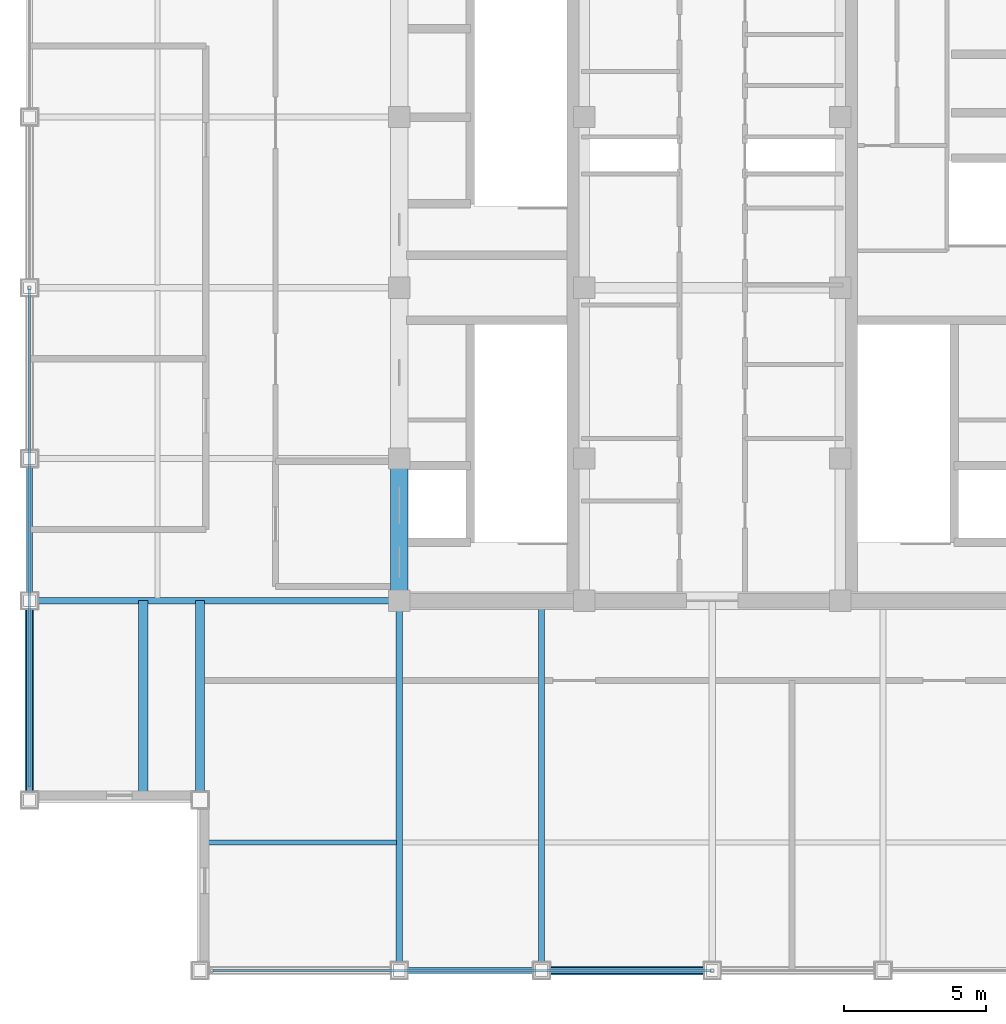
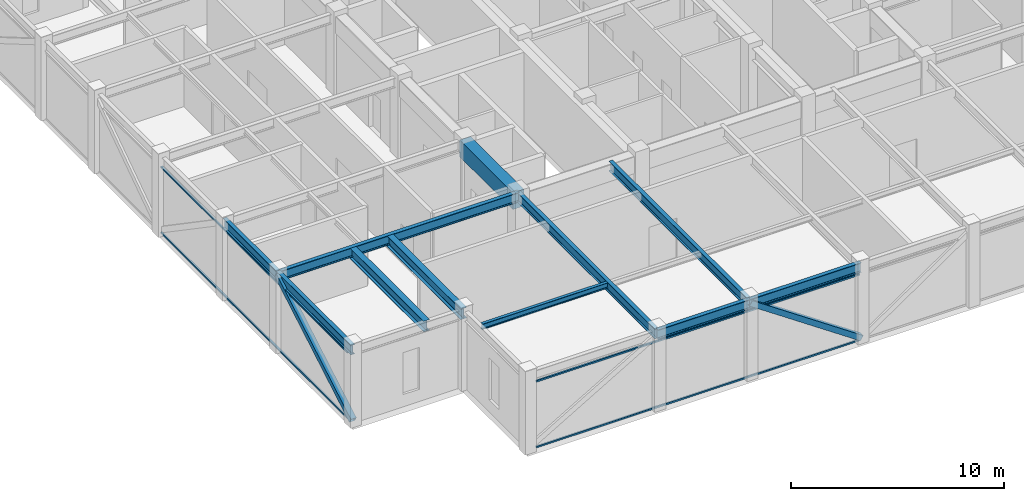
# One storey, part 3 of 27: 11 beams, 6 members, 2 elements without a shape of their own.
"""IFC4 building model written with IfcOpenShell, lengths in metres."""

from ifc_helpers import new_model, si_unit, direction, frame, origin, origin_2d, place, context, subcontext, project, spatial, rectangle, hollow_rectangle, i_section, extrude, source, transform, mapped, material, material_profile, profile_set, type_object, element, aggregate, save


model = new_model("IFC4")

# Units and contexts
model_context = context("Model", 3, precision=1e-05, world=origin(), true_north=direction((0.0, 1.0)))
body_context = subcontext(model_context, "Body", "Model", "MODEL_VIEW")
ifc_project = project(units=[si_unit("LENGTHUNIT", "METRE"), si_unit("AREAUNIT", "SQUARE_METRE"), si_unit("VOLUMEUNIT", "CUBIC_METRE"), si_unit("PLANEANGLEUNIT", "RADIAN"), si_unit("MASSUNIT", "GRAM", prefix="KILO")], contexts=[model_context])

# Site, building, storey
site_placement = place(None, origin())
site = spatial("IfcSite", under=ifc_project, at=site_placement, CompositionType="ELEMENT")
building_placement = place(site_placement, origin())
building = spatial("IfcBuilding", under=site, at=building_placement, Name="Khorayat Bourse Tower", CompositionType="ELEMENT")
storey_placement = place(building_placement, frame((0.0, 0.0, 399.5)))
storey = spatial("IfcBuildingStorey", under=building, at=storey_placement, Name="L94", CompositionType="ELEMENT", Elevation=399.5)

# Beams
ifc_material_1 = material(Name="Concrete C60/75", Category="concrete")
ifc_material_profile_1 = material_profile(ifc_material_1, rectangle(XDim=0.60009765625, YDim=0.949951171875, at=origin_2d()), Name="RC 600x950")
ifc_profile_set_1 = profile_set([ifc_material_profile_1], Name="Concrete C60/75")
beam_type_1 = type_object("IfcBeamType", Name="BM-COUP-950", PredefinedType="BEAM", material=ifc_profile_set_1)
shared_shape_1 = source(origin(), body_context, "Body", "SweptSolid", [
    extrude(rectangle(XDim=0.60009765625, YDim=0.949951171875, at=origin_2d()), origin(), (0.0, 0.0, 1.0), 5.0),
])
beam_1_placement = place(storey_placement, frame((-11.0, -11.0, 4.02490234375), z_axis=(0.0, 1.0, 0.0), x_axis=(-1.0, 0.0, 0.0)))
element("IfcBeam", 1, at=beam_1_placement, inside=storey, type_object=beam_type_1, Name="L94 BM-COUP-950 BM-L94-CRX-01", PredefinedType="BEAM", context=body_context, shape_type="MappedRepresentation", body=[
    mapped(shared_shape_1, transform((0.0, 0.0, 0.0), scale=1.0)),
])
ifc_material_2 = material(Name="Steel ASTM A992 Grade 50", Category="steel")
ifc_material_profile_2 = material_profile(ifc_material_2, i_section(OverallWidth=0.214111328125, OverallDepth=0.549072265625, WebThickness=0.0146484375, FlangeThickness=0.023681640625, FilletRadius=0.013916015625, at=origin_2d()), Name="W530X138")
ifc_profile_set_2 = profile_set([ifc_material_profile_2], Name="Steel ASTM A992 Grade 50")
beam_type_2 = type_object("IfcBeamType", Name="BM-SPAN-530", PredefinedType="SPANDREL", material=ifc_profile_set_2)
shared_shape_2 = source(origin(), body_context, "Body", "SweptSolid", [
    extrude(i_section(OverallWidth=0.214111328125, OverallDepth=0.549072265625, WebThickness=0.0146484375, FlangeThickness=0.023681640625, FilletRadius=0.013916015625, at=origin_2d()), origin(), (0.0, 0.0, 1.0), 5.0),
])
for number, where, z_axis, x_axis, name in (
    (2, (-11.0, -24.0, 4.2255859375), (1.0, 0.0, 0.0), (0.0, 1.0, 0.0), "L94 BM-SPAN-530 BM-L94-SPN-025"),
    (3, (-24.0, -11.0, 4.2255859375), (0.0, 1.0, 0.0), (-1.0, 0.0, 0.0), "L94 BM-SPAN-530 BM-L94-SPN-052"),
):
    element("IfcBeam", number, at=place(storey_placement, frame(where, z_axis=z_axis, x_axis=x_axis)), inside=storey, type_object=beam_type_2, Name=name, PredefinedType="SPANDREL", context=body_context, shape_type="MappedRepresentation", body=[
        mapped(shared_shape_2, transform((0.0, 0.0, 0.0), scale=1.0)),
    ])
shared_shape_3 = source(origin(), body_context, "Body", "SweptSolid", [
    extrude(i_section(OverallWidth=0.214111328125, OverallDepth=0.549072265625, WebThickness=0.0146484375, FlangeThickness=0.023681640625, FilletRadius=0.013916015625, at=origin_2d()), origin(), (0.0, 0.0, 1.0), 6.0),
])
beam_2_placement = place(storey_placement, frame((-6.0, -24.0, 4.2255859375), z_axis=(1.0, 0.0, 0.0), x_axis=(0.0, 1.0, 0.0)))
element("IfcBeam", 4, at=beam_2_placement, inside=storey, type_object=beam_type_2, Name="L94 BM-SPAN-530 BM-L94-SPN-026", PredefinedType="SPANDREL", context=body_context, shape_type="MappedRepresentation", body=[
    mapped(shared_shape_3, transform((0.0, 0.0, 0.0), scale=1.0)),
])
shared_shape_4 = source(origin(), body_context, "Body", "SweptSolid", [
    extrude(i_section(OverallWidth=0.214111328125, OverallDepth=0.549072265625, WebThickness=0.0146484375, FlangeThickness=0.023681640625, FilletRadius=0.013916015625, at=origin_2d()), origin(), (0.0, 0.0, 1.0), 7.0),
])
beam_3_placement = place(storey_placement, frame((-24.0, -18.0, 4.2255859375), z_axis=(0.0, 1.0, 0.0), x_axis=(-1.0, 0.0, 0.0)))
element("IfcBeam", 5, at=beam_3_placement, inside=storey, type_object=beam_type_2, Name="L94 BM-SPAN-530 BM-L94-SPN-053", PredefinedType="SPANDREL", context=body_context, shape_type="MappedRepresentation", body=[
    mapped(shared_shape_4, transform((0.0, 0.0, 0.0), scale=1.0)),
])
ifc_material_profile_3 = material_profile(ifc_material_2, i_section(OverallWidth=0.214111328125, OverallDepth=0.549072265625, WebThickness=0.0146484375, FlangeThickness=0.023681640625, FilletRadius=0.013916015625, at=origin_2d()), Name="W530X138")
ifc_profile_set_3 = profile_set([ifc_material_profile_3], Name="Steel ASTM A992 Grade 50")
beam_type_3 = type_object("IfcBeamType", Name="BM-GIRD-530", PredefinedType="BEAM", material=ifc_profile_set_3)
shared_shape_5 = source(origin(), body_context, "Body", "SweptSolid", [
    extrude(i_section(OverallWidth=0.214111328125, OverallDepth=0.549072265625, WebThickness=0.0146484375, FlangeThickness=0.023681640625, FilletRadius=0.013916015625, at=origin_2d()), origin(), (0.0, 0.0, 1.0), 13.0),
])
for number, where, z_axis, x_axis, name in (
    (6, (-11.0, -24.0, 4.2255859375), (0.0, 1.0, 0.0), (-1.0, 0.0, 0.0), "L94 BM-GIRD-530 BM-L94-RADY-057"),
    (7, (-6.0, -24.0, 4.2255859375), (0.0, 1.0, 0.0), (-1.0, 0.0, 0.0), "L94 BM-GIRD-530 BM-L94-RADY-059"),
    (8, (-24.0, -11.0, 4.2255859375), (1.0, 0.0, 0.0), (0.0, 1.0, 0.0), "L94 BM-GIRD-530 BM-L94-RADX-067"),
):
    element("IfcBeam", number, at=place(storey_placement, frame(where, z_axis=z_axis, x_axis=x_axis)), inside=storey, type_object=beam_type_3, Name=name, PredefinedType="BEAM", context=body_context, shape_type="MappedRepresentation", body=[
        mapped(shared_shape_5, transform((0.0, 0.0, 0.0), scale=1.0)),
    ])
ifc_material_profile_4 = material_profile(ifc_material_2, i_section(OverallWidth=0.324951171875, OverallDepth=0.615966796875, WebThickness=0.013916015625, FlangeThickness=0.021484375, FilletRadius=0.01611328125, at=origin_2d()), Name="W610X174")
ifc_profile_set_4 = profile_set([ifc_material_profile_4], Name="Steel ASTM A992 Grade 50")
beam_type_4 = type_object("IfcBeamType", Name="BM-GIRD-610", PredefinedType="BEAM", material=ifc_profile_set_4)
shared_shape_6 = source(origin(), body_context, "Body", "SweptSolid", [
    extrude(i_section(OverallWidth=0.324951171875, OverallDepth=0.615966796875, WebThickness=0.013916015625, FlangeThickness=0.021484375, FilletRadius=0.01611328125, at=origin_2d()), origin(), (0.0, 0.0, 1.0), 7.0),
])
for number, where, z_axis, x_axis, name in (
    (9, (-18.0, -18.0, 4.19189453125), (0.0, 1.0, 0.0), (-1.0, 0.0, 0.0), "L94 BM-GIRD-610 BM-L94-CNRY-076"),
    (10, (-20.0, -18.0, 4.19189453125), (0.0, 1.0, 0.0), (-1.0, 0.0, 0.0), "L94 BM-GIRD-610 BM-L94-CNRY-080"),
):
    element("IfcBeam", number, at=place(storey_placement, frame(where, z_axis=z_axis, x_axis=x_axis)), inside=storey, type_object=beam_type_4, Name=name, PredefinedType="BEAM", context=body_context, shape_type="MappedRepresentation", body=[
        mapped(shared_shape_6, transform((0.0, 0.0, 0.0), scale=1.0)),
    ])
ifc_material_profile_5 = material_profile(ifc_material_2, i_section(OverallWidth=0.1669921875, OverallDepth=0.31689453125, WebThickness=0.007568359375, FlangeThickness=0.01318359375, FilletRadius=0.010009765625, at=origin_2d()), Name="W310X52")
ifc_profile_set_5 = profile_set([ifc_material_profile_5], Name="Steel ASTM A992 Grade 50")
beam_type_5 = type_object("IfcBeamType", Name="BM-JOIST-310", PredefinedType="JOIST", material=ifc_profile_set_5)
shared_shape_7 = source(origin(), body_context, "Body", "SweptSolid", [
    extrude(i_section(OverallWidth=0.1669921875, OverallDepth=0.31689453125, WebThickness=0.007568359375, FlangeThickness=0.01318359375, FilletRadius=0.010009765625, at=origin_2d()), origin(), (0.0, 0.0, 1.0), 6.81005859375),
])
beam_4_placement = place(storey_placement, frame((-17.905029296875, -19.5, 4.341552734375), z_axis=(1.0, 0.0, 0.0), x_axis=(0.0, 1.0, 0.0)))
element("IfcBeam", 11, at=beam_4_placement, inside=storey, type_object=beam_type_5, Name="L94 BM-JOIST-310 BM-L94-JSTX-084", PredefinedType="JOIST", context=body_context, shape_type="MappedRepresentation", body=[
    mapped(shared_shape_7, transform((0.0, 0.0, 0.0), scale=1.0)),
])

# Members
ifc_material_3 = material(Name="Steel EN 10025-2 S355J2", Category="steel")
ifc_material_profile_6 = material_profile(ifc_material_3, hollow_rectangle(XDim=0.300048828125, YDim=0.300048828125, WallThickness=0.01611328125, at=origin_2d()), Name="HSS 300x300x16")
ifc_profile_set_6 = profile_set([ifc_material_profile_6], Name="Steel EN 10025-2 S355J2")
member_type_1 = type_object("IfcMemberType", Name="MBR-CROWN-300", PredefinedType="USERDEFINED", material=ifc_profile_set_6)
shared_shape_8 = source(origin(), body_context, "Body", "SweptSolid", [
    extrude(hollow_rectangle(XDim=0.300048828125, YDim=0.300048828125, WallThickness=0.01611328125, at=origin_2d()), origin(), (0.0, 0.0, 1.0), 8.1123046875),
])
member_1_placement = place(storey_placement, frame((-24.0, -18.0, 0.199951171875), z_axis=(0.0, 0.862878111278, 0.505412074526), x_axis=(-1.0, 0.0, 0.0)))
element("IfcMember", 12, at=member_1_placement, inside=storey, type_object=member_type_1, Name="L94 Lantern Crown Frame Member 09", ObjectType="CROWN FRAME", PredefinedType="USERDEFINED", context=body_context, shape_type="MappedRepresentation", body=[
    mapped(shared_shape_8, transform((0.0, 0.0, 0.0), scale=1.0)),
])
shared_shape_9 = source(origin(), body_context, "Body", "SweptSolid", [
    extrude(hollow_rectangle(XDim=0.300048828125, YDim=0.300048828125, WallThickness=0.01611328125, at=origin_2d()), origin(), (0.0, 0.0, 1.0), 7.26708984375),
])
member_2_placement = place(storey_placement, frame((-6.0, -24.0, 4.300048828125), z_axis=(0.825638381691, 0.0, -0.564199665614), x_axis=(0.0, 1.0, 0.0)))
element("IfcMember", 13, at=member_2_placement, inside=storey, type_object=member_type_1, Name="L94 Lantern Crown Frame Member 02", ObjectType="CROWN FRAME", PredefinedType="USERDEFINED", context=body_context, shape_type="MappedRepresentation", body=[
    mapped(shared_shape_9, transform((0.0, 0.0, 0.0), scale=1.0)),
])

# Curtain wall, members
ifc_material_4 = material(Name="Aluminium EN AW-6063 T6", Category="aluminium")
curtain_wall_type = type_object("IfcCurtainWallType", Name="CW-SYS-07", PredefinedType="NOTDEFINED", material=ifc_material_4)
curtain_wall_1_placement = place(storey_placement, origin())
curtain_wall_1 = element("IfcCurtainWall", 14, at=curtain_wall_1_placement, inside=storey, type_object=curtain_wall_type, Name="L94 Curtain Wall CW-L94-S1", PredefinedType="NOTDEFINED")
ifc_material_profile_7 = material_profile(ifc_material_4, hollow_rectangle(XDim=0.090087890625, YDim=0.090087890625, WallThickness=0.00390625, at=origin_2d()), Name="ALU 90x90x4")
ifc_profile_set_7 = profile_set([ifc_material_profile_7], Name="Aluminium EN AW-6063 T6")
member_type_2 = type_object("IfcMemberType", Name="CWT-HORZ-90", PredefinedType="USERDEFINED", material=ifc_profile_set_7)
shared_shape_10 = source(origin(), body_context, "Body", "SweptSolid", [
    extrude(hollow_rectangle(XDim=0.090087890625, YDim=0.090087890625, WallThickness=0.00390625, at=origin_2d()), origin(), (0.0, 0.0, 1.0), 17.5),
])
member_3_placement = place(storey_placement, frame((-17.550048828125, -24.0, 0.044921875), z_axis=(1.0, 0.0, 0.0), x_axis=(0.0, 1.0, 0.0)))
member_3 = element("IfcMember", 15, at=member_3_placement, type_object=member_type_2, Name="CW-L94-S1 Horizontal Transom 1-1", ObjectType="TRANSOM", PredefinedType="USERDEFINED", context=body_context, shape_type="MappedRepresentation", body=[
    mapped(shared_shape_10, transform((0.0, 0.0, 0.0), scale=1.0)),
])
member_4_placement = place(storey_placement, frame((-17.550048828125, -24.0, 3.804931640625), z_axis=(1.0, 0.0, 0.0), x_axis=(0.0, 1.0, 0.0)))
member_4 = element("IfcMember", 16, at=member_4_placement, type_object=member_type_2, Name="CW-L94-S1 Horizontal Transom 1-2", ObjectType="TRANSOM", PredefinedType="USERDEFINED", context=body_context, shape_type="MappedRepresentation", body=[
    mapped(shared_shape_10, transform((0.0, 0.0, 0.0), scale=1.0)),
])
aggregate(curtain_wall_1, [member_3, member_4])

curtain_wall_2_placement = place(storey_placement, origin())
curtain_wall_2 = element("IfcCurtainWall", 17, at=curtain_wall_2_placement, inside=storey, type_object=curtain_wall_type, Name="L94 Curtain Wall CW-L94-W1", PredefinedType="NOTDEFINED")
member_5_placement = place(storey_placement, frame((-24.0, -17.550048828125, 0.044921875), z_axis=(0.0, 1.0, 0.0), x_axis=(-1.0, 0.0, 0.0)))
member_5 = element("IfcMember", 18, at=member_5_placement, type_object=member_type_2, Name="CW-L94-W1 Horizontal Transom 1-1", ObjectType="TRANSOM", PredefinedType="USERDEFINED", context=body_context, shape_type="MappedRepresentation", body=[
    mapped(shared_shape_10, transform((0.0, 0.0, 0.0), scale=1.0)),
])
member_6_placement = place(storey_placement, frame((-24.0, -17.550048828125, 3.804931640625), z_axis=(0.0, 1.0, 0.0), x_axis=(-1.0, 0.0, 0.0)))
member_6 = element("IfcMember", 19, at=member_6_placement, type_object=member_type_2, Name="CW-L94-W1 Horizontal Transom 1-2", ObjectType="TRANSOM", PredefinedType="USERDEFINED", context=body_context, shape_type="MappedRepresentation", body=[
    mapped(shared_shape_10, transform((0.0, 0.0, 0.0), scale=1.0)),
])
aggregate(curtain_wall_2, [member_5, member_6])

save(model, "model.ifc")
